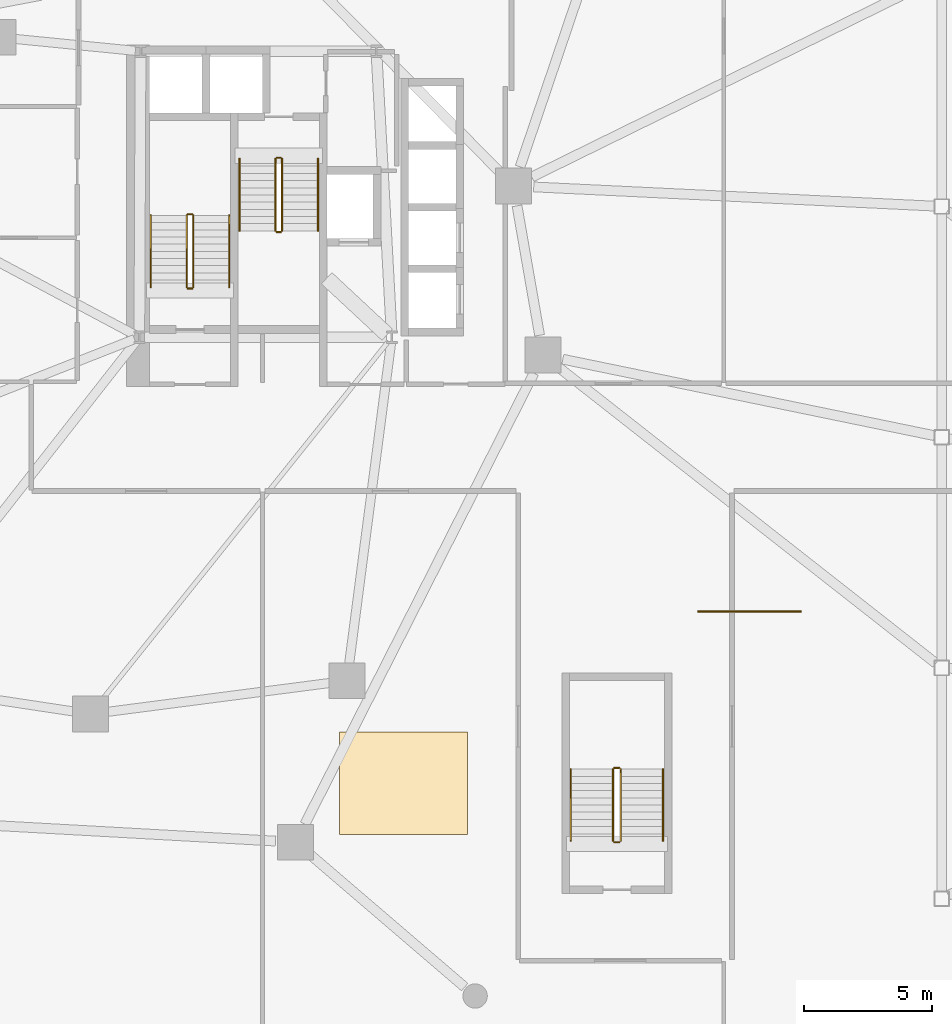
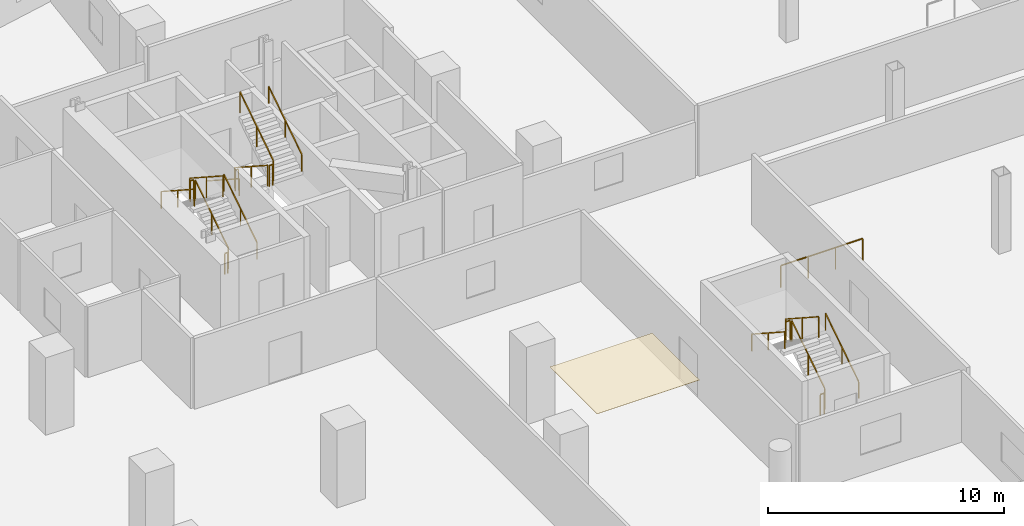
# One storey, part 17 of 18: 19 railings, 1 covering.
"""IFC4 building model written with IfcOpenShell, lengths in metres."""

from ifc_helpers import new_model, si_unit, direction, frame, origin, origin_2d, place, context, subcontext, project, spatial, polyline, rectangle, outline, extrude, material, layer, layer_set, type_object, element, save


model = new_model("IFC4")

# Units and contexts
model_context = context("Model", 3, precision=1e-05, world=origin(), true_north=direction((0.0, 1.0)))
body_context = subcontext(model_context, "Body", "Model", "MODEL_VIEW")
ifc_project = project(units=[si_unit("LENGTHUNIT", "METRE"), si_unit("AREAUNIT", "SQUARE_METRE"), si_unit("VOLUMEUNIT", "CUBIC_METRE"), si_unit("PLANEANGLEUNIT", "RADIAN"), si_unit("MASSUNIT", "GRAM", prefix="KILO"), si_unit("THERMODYNAMICTEMPERATUREUNIT", "KELVIN"), si_unit("POWERUNIT", "WATT")], contexts=[model_context])

# Site, building, storey
site_placement = place(None, origin())
site = spatial("IfcSite", under=ifc_project, at=site_placement, CompositionType="ELEMENT")
building_placement = place(site_placement, origin())
building = spatial("IfcBuilding", under=site, at=building_placement, Name="Cundina Bronze Exchange", CompositionType="ELEMENT")
storey_placement = place(building_placement, frame((0.0, 0.0, 12.0)))
storey = spatial("IfcBuildingStorey", under=building, at=storey_placement, Name="L02", CompositionType="ELEMENT", Elevation=12.0)

# Covering
ifc_material_1 = material(Name="Mineral Acoustic Ceiling Tile 18mm")
ifc_layer = layer(ifc_material_1, 0.01806640625, Name="Mineral Acoustic Ceiling Tile 18mm")
ifc_layer_set = layer_set([ifc_layer], Name="Mineral Acoustic Ceiling Tile 18mm")
covering_type = type_object("IfcCoveringType", Name="COV-CLG-AC18", PredefinedType="CEILING", material=ifc_layer_set)
covering_placement = place(storey_placement, frame((0.0, 0.0, 3.632080078125)))
element("IfcCovering", 1, at=covering_placement, inside=storey, type_object=covering_type, Name="L02 Suspended Mineral Acoustic Ceiling", PredefinedType="CEILING", context=body_context, shape_type="SweptSolid", body=[
    extrude(outline(polyline([(-23.5, -15.5), (-18.5, -15.5), (-18.5, -11.5), (-23.5, -11.5), (-23.5, -15.5)])), origin(), (0.0, 0.0, 1.0), 0.017822265625),
])

# Railings
ifc_material_2 = material(Name="Heat-Strengthened Solar-Control Bronze Safety Glass 28mm", Category="glass")
railing_type_1 = type_object("IfcRailingType", Name="RLG-BAL-1150", PredefinedType="BALUSTRADE", material=ifc_material_2)
railing_1_placement = place(storey_placement, frame((-9.5, -6.800048828125, 0.0)))
element("IfcRailing", 2, at=railing_1_placement, inside=storey, type_object=railing_type_1, Name="L02 Concourse Gallery Balustrade 1", PredefinedType="BALUSTRADE", context=body_context, shape_type="SweptSolid", body=[
    extrude(rectangle(XDim=0.048095703125, YDim=0.048095703125, at=origin_2d()), frame((0.0, 0.0, 1.1259765625), z_axis=(1.0, 0.0, 0.0), x_axis=(0.0, 1.0, 0.0)), (0.0, 0.0, 1.0), 4.0),
    extrude(rectangle(XDim=0.0419921875, YDim=0.0419921875, at=origin_2d()), origin(), (0.0, 0.0, 1.0), 1.101806640625),
    extrude(rectangle(XDim=0.0419921875, YDim=0.0419921875, at=origin_2d()), frame((1.333251953125, 0.0, 0.0)), (0.0, 0.0, 1.0), 1.101806640625),
    extrude(rectangle(XDim=0.0419921875, YDim=0.0419921875, at=origin_2d()), frame((2.666748046875, 0.0, 0.0)), (0.0, 0.0, 1.0), 1.101806640625),
    extrude(rectangle(XDim=0.0419921875, YDim=0.0419921875, at=origin_2d()), frame((4.0, 0.0, 0.0)), (0.0, 0.0, 1.0), 1.101806640625),
])
ifc_material_3 = material(Name="Steel ASTM A36 Painted", Category="steel")
railing_type_2 = type_object("IfcRailingType", Name="RLG-HND-900", PredefinedType="HANDRAIL", material=ifc_material_3)
railing_2_placement = place(storey_placement, frame((-27.7900390625, 5.85009765625, 0.181884765625)))
element("IfcRailing", 3, at=railing_2_placement, inside=storey, type_object=railing_type_2, Name="L02 ST-W1 stair handrail 1", PredefinedType="HANDRAIL", context=body_context, shape_type="SweptSolid", body=[
    extrude(rectangle(XDim=0.048095703125, YDim=0.048095703125, at=origin_2d()), frame((0.0, 0.0, 0.8759765625), z_axis=(0.0, 0.83868413941, 0.544618136222), x_axis=(-1.0, 0.0, 0.0)), (0.0, 0.0, 1.0), 3.33837890625),
    extrude(rectangle(XDim=0.0419921875, YDim=0.0419921875, at=origin_2d()), origin(), (0.0, 0.0, 1.0), 0.851806640625),
    extrude(rectangle(XDim=0.0419921875, YDim=0.0419921875, at=origin_2d()), frame((0.0, 1.39990234375, 0.9091796875)), (0.0, 0.0, 1.0), 0.851806640625),
    extrude(rectangle(XDim=0.0419921875, YDim=0.0419921875, at=origin_2d()), frame((0.0, 2.7998046875, 1.818115234375)), (0.0, 0.0, 1.0), 0.851806640625),
])
railing_3_placement = place(storey_placement, frame((-30.85009765625, 8.64990234375, 2.181884765625)))
element("IfcRailing", 4, at=railing_3_placement, inside=storey, type_object=railing_type_2, Name="L02 ST-W1 stair handrail 2", PredefinedType="HANDRAIL", context=body_context, shape_type="SweptSolid", body=[
    extrude(rectangle(XDim=0.048095703125, YDim=0.048095703125, at=origin_2d()), frame((0.0, 0.0, 0.8759765625), z_axis=(0.0, -0.83868413941, 0.544618136222), x_axis=(1.0, 0.0, 0.0)), (0.0, 0.0, 1.0), 3.33837890625),
    extrude(rectangle(XDim=0.0419921875, YDim=0.0419921875, at=origin_2d()), origin(), (0.0, 0.0, 1.0), 0.851806640625),
    extrude(rectangle(XDim=0.0419921875, YDim=0.0419921875, at=origin_2d()), frame((0.0, -1.39990234375, 0.9091796875)), (0.0, 0.0, 1.0), 0.851806640625),
    extrude(rectangle(XDim=0.0419921875, YDim=0.0419921875, at=origin_2d()), frame((0.0, -2.7998046875, 1.818115234375)), (0.0, 0.0, 1.0), 0.851806640625),
])
railing_4_placement = place(storey_placement, frame((-27.389892578125, 10.85009765625, 0.181884765625)))
element("IfcRailing", 5, at=railing_4_placement, inside=storey, type_object=railing_type_2, Name="L02 ST-W2 stair handrail 1", PredefinedType="HANDRAIL", context=body_context, shape_type="SweptSolid", body=[
    extrude(rectangle(XDim=0.048095703125, YDim=0.048095703125, at=origin_2d()), frame((0.0, 0.0, 0.8759765625), z_axis=(0.0, -0.838705829183, 0.544584733623), x_axis=(1.0, 0.0, 0.0)), (0.0, 0.0, 1.0), 3.338623046875),
    extrude(rectangle(XDim=0.0419921875, YDim=0.0419921875, at=origin_2d()), origin(), (0.0, 0.0, 1.0), 0.851806640625),
    extrude(rectangle(XDim=0.0419921875, YDim=0.0419921875, at=origin_2d()), frame((0.0, -1.39990234375, 0.9091796875)), (0.0, 0.0, 1.0), 0.851806640625),
    extrude(rectangle(XDim=0.0419921875, YDim=0.0419921875, at=origin_2d()), frame((0.0, -2.800048828125, 1.818115234375)), (0.0, 0.0, 1.0), 0.851806640625),
])
for number, where, name in (
    (6, (-24.330078125, 8.050048828125, 2.181884765625), "L02 ST-W2 stair handrail 2"),
    (7, (-10.8701171875, -15.75, 0.181884765625), "L02 ST-PW stair handrail 1"),
):
    element("IfcRailing", number, at=place(storey_placement, frame(where)), inside=storey, type_object=railing_type_2, Name=name, PredefinedType="HANDRAIL", context=body_context, shape_type="SweptSolid", body=[
        extrude(rectangle(XDim=0.048095703125, YDim=0.048095703125, at=origin_2d()), frame((0.0, 0.0, 0.8759765625), z_axis=(0.0, 0.838705829183, 0.544584733623), x_axis=(-1.0, 0.0, 0.0)), (0.0, 0.0, 1.0), 3.338623046875),
        extrude(rectangle(XDim=0.0419921875, YDim=0.0419921875, at=origin_2d()), origin(), (0.0, 0.0, 1.0), 0.851806640625),
        extrude(rectangle(XDim=0.0419921875, YDim=0.0419921875, at=origin_2d()), frame((0.0, 1.39990234375, 0.9091796875)), (0.0, 0.0, 1.0), 0.851806640625),
        extrude(rectangle(XDim=0.0419921875, YDim=0.0419921875, at=origin_2d()), frame((0.0, 2.800048828125, 1.818115234375)), (0.0, 0.0, 1.0), 0.851806640625),
    ])
railing_5_placement = place(storey_placement, frame((-14.469970703125, -12.949951171875, 2.181884765625)))
element("IfcRailing", 8, at=railing_5_placement, inside=storey, type_object=railing_type_2, Name="L02 ST-PW stair handrail 2", PredefinedType="HANDRAIL", context=body_context, shape_type="SweptSolid", body=[
    extrude(rectangle(XDim=0.048095703125, YDim=0.048095703125, at=origin_2d()), frame((0.0, 0.0, 0.8759765625), z_axis=(0.0, -0.838705829183, 0.544584733623), x_axis=(1.0, 0.0, 0.0)), (0.0, 0.0, 1.0), 3.338623046875),
    extrude(rectangle(XDim=0.0419921875, YDim=0.0419921875, at=origin_2d()), origin(), (0.0, 0.0, 1.0), 0.851806640625),
    extrude(rectangle(XDim=0.0419921875, YDim=0.0419921875, at=origin_2d()), frame((0.0, -1.39990234375, 0.9091796875)), (0.0, 0.0, 1.0), 0.851806640625),
    extrude(rectangle(XDim=0.0419921875, YDim=0.0419921875, at=origin_2d()), frame((0.0, -2.800048828125, 1.818115234375)), (0.0, 0.0, 1.0), 0.851806640625),
])
railing_type_3 = type_object("IfcRailingType", Name="RLG-STG-1100", PredefinedType="GUARDRAIL", material=ifc_material_3)
railing_6_placement = place(storey_placement, frame((-29.18994140625, 5.85009765625, 0.181884765625)))
element("IfcRailing", 9, at=railing_6_placement, inside=storey, type_object=railing_type_3, Name="L02 ST-W1 stair guard 1", PredefinedType="GUARDRAIL", context=body_context, shape_type="SweptSolid", body=[
    extrude(rectangle(XDim=0.048095703125, YDim=0.048095703125, at=origin_2d()), frame((0.0, 0.0, 1.076171875), z_axis=(0.0, 0.83868413941, 0.544618136222), x_axis=(-1.0, 0.0, 0.0)), (0.0, 0.0, 1.0), 3.33837890625),
    extrude(rectangle(XDim=0.0419921875, YDim=0.0419921875, at=origin_2d()), origin(), (0.0, 0.0, 1.0), 1.052001953125),
    extrude(rectangle(XDim=0.0419921875, YDim=0.0419921875, at=origin_2d()), frame((0.0, 1.39990234375, 0.9091796875)), (0.0, 0.0, 1.0), 1.052001953125),
    extrude(rectangle(XDim=0.0419921875, YDim=0.0419921875, at=origin_2d()), frame((0.0, 2.7998046875, 1.818115234375)), (0.0, 0.0, 1.0), 1.052001953125),
])
railing_7_placement = place(storey_placement, frame((-29.239990234375, 8.699951171875, 2.0)))
element("IfcRailing", 10, at=railing_7_placement, inside=storey, type_object=railing_type_3, Name="L02 ST-W1 stair guard 2", PredefinedType="GUARDRAIL", context=body_context, shape_type="SweptSolid", body=[
    extrude(rectangle(XDim=0.048095703125, YDim=0.048095703125, at=origin_2d()), frame((0.0, 0.0, 1.076171875), z_axis=(-1.0, 0.0, 0.0), x_axis=(0.0, -1.0, 0.0)), (0.0, 0.0, 1.0), 0.159912109375),
    extrude(rectangle(XDim=0.0419921875, YDim=0.0419921875, at=origin_2d()), origin(), (0.0, 0.0, 1.0), 1.052001953125),
    extrude(rectangle(XDim=0.0419921875, YDim=0.0419921875, at=origin_2d()), frame((-0.159912109375, 0.0, 0.0)), (0.0, 0.0, 1.0), 1.052001953125),
])
railing_8_placement = place(storey_placement, frame((-29.449951171875, 8.64990234375, 2.181884765625)))
element("IfcRailing", 11, at=railing_8_placement, inside=storey, type_object=railing_type_3, Name="L02 ST-W1 stair guard 3", PredefinedType="GUARDRAIL", context=body_context, shape_type="SweptSolid", body=[
    extrude(rectangle(XDim=0.048095703125, YDim=0.048095703125, at=origin_2d()), frame((0.0, 0.0, 1.076171875), z_axis=(0.0, -0.83868413941, 0.544618136222), x_axis=(1.0, 0.0, 0.0)), (0.0, 0.0, 1.0), 3.33837890625),
    extrude(rectangle(XDim=0.0419921875, YDim=0.0419921875, at=origin_2d()), origin(), (0.0, 0.0, 1.0), 1.052001953125),
    extrude(rectangle(XDim=0.0419921875, YDim=0.0419921875, at=origin_2d()), frame((0.0, -1.39990234375, 0.9091796875)), (0.0, 0.0, 1.0), 1.052001953125),
    extrude(rectangle(XDim=0.0419921875, YDim=0.0419921875, at=origin_2d()), frame((0.0, -2.7998046875, 1.818115234375)), (0.0, 0.0, 1.0), 1.052001953125),
])
railing_9_placement = place(storey_placement, frame((-29.239990234375, 5.800048828125, 0.0)))
element("IfcRailing", 12, at=railing_9_placement, inside=storey, type_object=railing_type_3, Name="L02 ST-W1 stair guard 4", PredefinedType="GUARDRAIL", context=body_context, shape_type="SweptSolid", body=[
    extrude(rectangle(XDim=0.048095703125, YDim=0.048095703125, at=origin_2d()), frame((0.0, 0.0, 1.076171875), z_axis=(-1.0, 0.0, 0.0), x_axis=(0.0, -1.0, 0.0)), (0.0, 0.0, 1.0), 0.159912109375),
    extrude(rectangle(XDim=0.0419921875, YDim=0.0419921875, at=origin_2d()), origin(), (0.0, 0.0, 1.0), 1.052001953125),
    extrude(rectangle(XDim=0.0419921875, YDim=0.0419921875, at=origin_2d()), frame((-0.159912109375, 0.0, 0.0)), (0.0, 0.0, 1.0), 1.052001953125),
])
railing_10_placement = place(storey_placement, frame((-25.989990234375, 10.85009765625, 0.181884765625)))
element("IfcRailing", 13, at=railing_10_placement, inside=storey, type_object=railing_type_3, Name="L02 ST-W2 stair guard 1", PredefinedType="GUARDRAIL", context=body_context, shape_type="SweptSolid", body=[
    extrude(rectangle(XDim=0.048095703125, YDim=0.048095703125, at=origin_2d()), frame((0.0, 0.0, 1.076171875), z_axis=(0.0, -0.838705829183, 0.544584733623), x_axis=(1.0, 0.0, 0.0)), (0.0, 0.0, 1.0), 3.338623046875),
    extrude(rectangle(XDim=0.0419921875, YDim=0.0419921875, at=origin_2d()), origin(), (0.0, 0.0, 1.0), 1.052001953125),
    extrude(rectangle(XDim=0.0419921875, YDim=0.0419921875, at=origin_2d()), frame((0.0, -1.39990234375, 0.9091796875)), (0.0, 0.0, 1.0), 1.052001953125),
    extrude(rectangle(XDim=0.0419921875, YDim=0.0419921875, at=origin_2d()), frame((0.0, -2.800048828125, 1.818115234375)), (0.0, 0.0, 1.0), 1.052001953125),
])
railing_11_placement = place(storey_placement, frame((-25.93994140625, 8.0, 2.0)))
element("IfcRailing", 14, at=railing_11_placement, inside=storey, type_object=railing_type_3, Name="L02 ST-W2 stair guard 2", PredefinedType="GUARDRAIL", context=body_context, shape_type="SweptSolid", body=[
    extrude(rectangle(XDim=0.048095703125, YDim=0.048095703125, at=origin_2d()), frame((0.0, 0.0, 1.076171875), z_axis=(1.0, 0.0, 0.0), x_axis=(0.0, 1.0, 0.0)), (0.0, 0.0, 1.0), 0.159912109375),
    extrude(rectangle(XDim=0.0419921875, YDim=0.0419921875, at=origin_2d()), origin(), (0.0, 0.0, 1.0), 1.052001953125),
    extrude(rectangle(XDim=0.0419921875, YDim=0.0419921875, at=origin_2d()), frame((0.159912109375, 0.0, 0.0)), (0.0, 0.0, 1.0), 1.052001953125),
])
railing_12_placement = place(storey_placement, frame((-25.72998046875, 8.050048828125, 2.181884765625)))
element("IfcRailing", 15, at=railing_12_placement, inside=storey, type_object=railing_type_3, Name="L02 ST-W2 stair guard 3", PredefinedType="GUARDRAIL", context=body_context, shape_type="SweptSolid", body=[
    extrude(rectangle(XDim=0.048095703125, YDim=0.048095703125, at=origin_2d()), frame((0.0, 0.0, 1.076171875), z_axis=(0.0, 0.838705829183, 0.544584733623), x_axis=(-1.0, 0.0, 0.0)), (0.0, 0.0, 1.0), 3.338623046875),
    extrude(rectangle(XDim=0.0419921875, YDim=0.0419921875, at=origin_2d()), origin(), (0.0, 0.0, 1.0), 1.052001953125),
    extrude(rectangle(XDim=0.0419921875, YDim=0.0419921875, at=origin_2d()), frame((0.0, 1.39990234375, 0.9091796875)), (0.0, 0.0, 1.0), 1.052001953125),
    extrude(rectangle(XDim=0.0419921875, YDim=0.0419921875, at=origin_2d()), frame((0.0, 2.800048828125, 1.818115234375)), (0.0, 0.0, 1.0), 1.052001953125),
])
railing_13_placement = place(storey_placement, frame((-25.93994140625, 10.89990234375, 0.0)))
element("IfcRailing", 16, at=railing_13_placement, inside=storey, type_object=railing_type_3, Name="L02 ST-W2 stair guard 4", PredefinedType="GUARDRAIL", context=body_context, shape_type="SweptSolid", body=[
    extrude(rectangle(XDim=0.048095703125, YDim=0.048095703125, at=origin_2d()), frame((0.0, 0.0, 1.076171875), z_axis=(1.0, 0.0, 0.0), x_axis=(0.0, 1.0, 0.0)), (0.0, 0.0, 1.0), 0.159912109375),
    extrude(rectangle(XDim=0.0419921875, YDim=0.0419921875, at=origin_2d()), origin(), (0.0, 0.0, 1.0), 1.052001953125),
    extrude(rectangle(XDim=0.0419921875, YDim=0.0419921875, at=origin_2d()), frame((0.159912109375, 0.0, 0.0)), (0.0, 0.0, 1.0), 1.052001953125),
])
railing_14_placement = place(storey_placement, frame((-12.52001953125, -15.75, 0.181884765625)))
element("IfcRailing", 17, at=railing_14_placement, inside=storey, type_object=railing_type_3, Name="L02 ST-PW stair guard 1", PredefinedType="GUARDRAIL", context=body_context, shape_type="SweptSolid", body=[
    extrude(rectangle(XDim=0.048095703125, YDim=0.048095703125, at=origin_2d()), frame((0.0, 0.0, 1.076171875), z_axis=(0.0, 0.838705829183, 0.544584733623), x_axis=(-1.0, 0.0, 0.0)), (0.0, 0.0, 1.0), 3.338623046875),
    extrude(rectangle(XDim=0.0419921875, YDim=0.0419921875, at=origin_2d()), origin(), (0.0, 0.0, 1.0), 1.052001953125),
    extrude(rectangle(XDim=0.0419921875, YDim=0.0419921875, at=origin_2d()), frame((0.0, 1.39990234375, 0.9091796875)), (0.0, 0.0, 1.0), 1.052001953125),
    extrude(rectangle(XDim=0.0419921875, YDim=0.0419921875, at=origin_2d()), frame((0.0, 2.800048828125, 1.818115234375)), (0.0, 0.0, 1.0), 1.052001953125),
])
railing_15_placement = place(storey_placement, frame((-12.570068359375, -12.89990234375, 2.0)))
element("IfcRailing", 18, at=railing_15_placement, inside=storey, type_object=railing_type_3, Name="L02 ST-PW stair guard 2", PredefinedType="GUARDRAIL", context=body_context, shape_type="SweptSolid", body=[
    extrude(rectangle(XDim=0.048095703125, YDim=0.048095703125, at=origin_2d()), frame((0.0, 0.0, 1.076171875), z_axis=(-1.0, 0.0, 0.0), x_axis=(0.0, -1.0, 0.0)), (0.0, 0.0, 1.0), 0.199951171875),
    extrude(rectangle(XDim=0.0419921875, YDim=0.0419921875, at=origin_2d()), origin(), (0.0, 0.0, 1.0), 1.052001953125),
    extrude(rectangle(XDim=0.0419921875, YDim=0.0419921875, at=origin_2d()), frame((-0.199951171875, 0.0, 0.0)), (0.0, 0.0, 1.0), 1.052001953125),
])
railing_16_placement = place(storey_placement, frame((-12.820068359375, -12.949951171875, 2.181884765625)))
element("IfcRailing", 19, at=railing_16_placement, inside=storey, type_object=railing_type_3, Name="L02 ST-PW stair guard 3", PredefinedType="GUARDRAIL", context=body_context, shape_type="SweptSolid", body=[
    extrude(rectangle(XDim=0.048095703125, YDim=0.048095703125, at=origin_2d()), frame((0.0, 0.0, 1.076171875), z_axis=(0.0, -0.838705829183, 0.544584733623), x_axis=(1.0, 0.0, 0.0)), (0.0, 0.0, 1.0), 3.338623046875),
    extrude(rectangle(XDim=0.0419921875, YDim=0.0419921875, at=origin_2d()), origin(), (0.0, 0.0, 1.0), 1.052001953125),
    extrude(rectangle(XDim=0.0419921875, YDim=0.0419921875, at=origin_2d()), frame((0.0, -1.39990234375, 0.9091796875)), (0.0, 0.0, 1.0), 1.052001953125),
    extrude(rectangle(XDim=0.0419921875, YDim=0.0419921875, at=origin_2d()), frame((0.0, -2.800048828125, 1.818115234375)), (0.0, 0.0, 1.0), 1.052001953125),
])
railing_17_placement = place(storey_placement, frame((-12.570068359375, -15.800048828125, 0.0)))
element("IfcRailing", 20, at=railing_17_placement, inside=storey, type_object=railing_type_3, Name="L02 ST-PW stair guard 4", PredefinedType="GUARDRAIL", context=body_context, shape_type="SweptSolid", body=[
    extrude(rectangle(XDim=0.048095703125, YDim=0.048095703125, at=origin_2d()), frame((0.0, 0.0, 1.076171875), z_axis=(-1.0, 0.0, 0.0), x_axis=(0.0, -1.0, 0.0)), (0.0, 0.0, 1.0), 0.199951171875),
    extrude(rectangle(XDim=0.0419921875, YDim=0.0419921875, at=origin_2d()), origin(), (0.0, 0.0, 1.0), 1.052001953125),
    extrude(rectangle(XDim=0.0419921875, YDim=0.0419921875, at=origin_2d()), frame((-0.199951171875, 0.0, 0.0)), (0.0, 0.0, 1.0), 1.052001953125),
])

save(model, "model.ifc")
